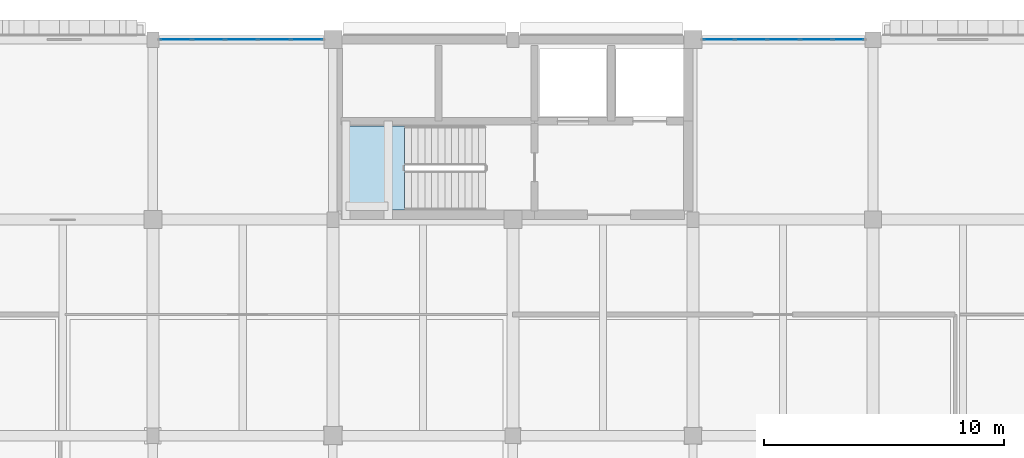
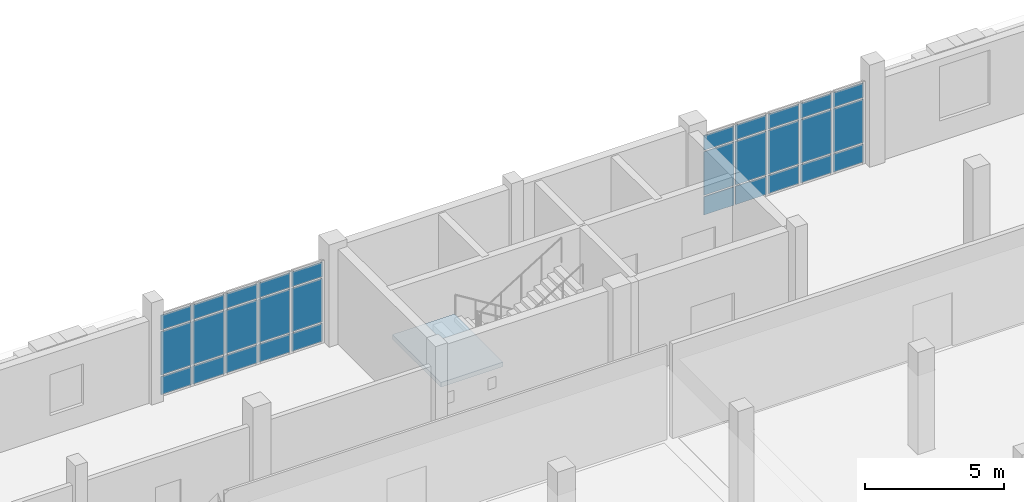
# One storey, part 86 of 128: 30 plates, 1 slab, 3 elements without a shape of their own.
"""IFC4 building model written with IfcOpenShell, lengths in metres."""

from ifc_helpers import new_model, si_unit, direction, frame, origin, origin_2d, place, context, subcontext, project, spatial, polyline, rectangle, outline, extrude, material, layer, layer_set, type_object, element, aggregate, save


model = new_model("IFC4")

# Units and contexts
model_context = context("Model", 3, precision=1e-05, world=origin(), true_north=direction((0.0, 1.0)))
body_context = subcontext(model_context, "Body", "Model", "MODEL_VIEW")
ifc_project = project(units=[si_unit("LENGTHUNIT", "METRE"), si_unit("AREAUNIT", "SQUARE_METRE"), si_unit("VOLUMEUNIT", "CUBIC_METRE"), si_unit("PLANEANGLEUNIT", "RADIAN"), si_unit("MASSUNIT", "GRAM", prefix="KILO")], contexts=[model_context])

# Site, building, storey
site_placement = place(None, origin())
site = spatial("IfcSite", under=ifc_project, at=site_placement, CompositionType="ELEMENT")
building_placement = place(site_placement, origin())
building = spatial("IfcBuilding", under=site, at=building_placement, Name="Dalvernix Boulevard General Hospital", CompositionType="ELEMENT")
storey_placement = place(building_placement, frame((0.0, 0.0, 4.800048828125)))
storey = spatial("IfcBuildingStorey", under=building, at=storey_placement, Name="L01", CompositionType="ELEMENT", Elevation=4.800048828125)

# Curtain wall, plates
ifc_material_1 = material(Name="Thermally broken aluminium and solar-control glass curtain wall", Category="aluminium")
ifc_layer_1 = layer(ifc_material_1, 0.179931640625)
ifc_layer_set_1 = layer_set([ifc_layer_1], Name="Thermally broken aluminium and solar-control glass curtain wall (CW-CW-B-69x36)")
curtain_wall_type_1 = type_object("IfcCurtainWallType", Name="CW-CW-B-69x36", PredefinedType="USERDEFINED", material=ifc_layer_set_1)
curtain_wall_1_placement = place(storey_placement, origin())
curtain_wall_1 = element("IfcCurtainWall", 1, at=curtain_wall_1_placement, inside=storey, type_object=curtain_wall_type_1, Name="L01 curtain wall CW-B-69x36 12-15", ObjectType="GLAZED FACADE", PredefinedType="USERDEFINED")
ifc_material_2 = material(Name="Double-glazed solar-control low-emissivity glass", Category="glass")
ifc_layer_2 = layer(ifc_material_2, 0.028076171875)
ifc_layer_set_2 = layer_set([ifc_layer_2], Name="Double-glazed solar-control low-emissivity glass (PLT-CW-P2)")
plate_type = type_object("IfcPlateType", Name="PLT-CW-P2", PredefinedType="CURTAIN_PANEL", material=ifc_layer_set_2)
plate_1_placement = place(storey_placement, frame((90.961669921875, 117.0, 0.06494140625), z_axis=(0.0, 0.0, 1.0), x_axis=(1.0, 0.0, 0.0)))
plate_1 = element("IfcPlate", 2, at=plate_1_placement, type_object=plate_type, Name="CW-B-69x36 panel 1.1", PredefinedType="CURTAIN_PANEL", context=body_context, shape_type="SweptSolid", body=[
    extrude(rectangle(XDim=1.2734375, YDim=0.028076171875, at=origin_2d()), origin(), (0.0, 0.0, 1.0), 0.802490234375),
])
plate_2_placement = place(storey_placement, frame((90.961669921875, 117.0, 0.932373046875), z_axis=(0.0, 0.0, 1.0), x_axis=(1.0, 0.0, 0.0)))
plate_2 = element("IfcPlate", 3, at=plate_2_placement, type_object=plate_type, Name="CW-B-69x36 panel 1.2", PredefinedType="CURTAIN_PANEL", context=body_context, shape_type="SweptSolid", body=[
    extrude(rectangle(XDim=1.2734375, YDim=0.028076171875, at=origin_2d()), origin(), (0.0, 0.0, 1.0), 1.9150390625),
])
plate_3_placement = place(storey_placement, frame((90.961669921875, 117.0, 2.91259765625), z_axis=(0.0, 0.0, 1.0), x_axis=(1.0, 0.0, 0.0)))
plate_3 = element("IfcPlate", 4, at=plate_3_placement, type_object=plate_type, Name="CW-B-69x36 panel 1.3", PredefinedType="CURTAIN_PANEL", context=body_context, shape_type="SweptSolid", body=[
    extrude(rectangle(XDim=1.2734375, YDim=0.028076171875, at=origin_2d()), origin(), (0.0, 0.0, 1.0), 0.652587890625),
])
plate_4_placement = place(storey_placement, frame((92.31640625, 117.0, 0.06494140625), z_axis=(0.0, 0.0, 1.0), x_axis=(1.0, 0.0, 0.0)))
plate_4 = element("IfcPlate", 5, at=plate_4_placement, type_object=plate_type, Name="CW-B-69x36 panel 2.1", PredefinedType="CURTAIN_PANEL", context=body_context, shape_type="SweptSolid", body=[
    extrude(rectangle(XDim=1.305908203125, YDim=0.028076171875, at=origin_2d()), origin(), (0.0, 0.0, 1.0), 0.802490234375),
])
plate_5_placement = place(storey_placement, frame((92.31640625, 117.0, 0.932373046875), z_axis=(0.0, 0.0, 1.0), x_axis=(1.0, 0.0, 0.0)))
plate_5 = element("IfcPlate", 6, at=plate_5_placement, type_object=plate_type, Name="CW-B-69x36 panel 2.2", PredefinedType="CURTAIN_PANEL", context=body_context, shape_type="SweptSolid", body=[
    extrude(rectangle(XDim=1.305908203125, YDim=0.028076171875, at=origin_2d()), origin(), (0.0, 0.0, 1.0), 1.9150390625),
])
plate_6_placement = place(storey_placement, frame((92.31640625, 117.0, 2.91259765625), z_axis=(0.0, 0.0, 1.0), x_axis=(1.0, 0.0, 0.0)))
plate_6 = element("IfcPlate", 7, at=plate_6_placement, type_object=plate_type, Name="CW-B-69x36 panel 2.3", PredefinedType="CURTAIN_PANEL", context=body_context, shape_type="SweptSolid", body=[
    extrude(rectangle(XDim=1.305908203125, YDim=0.028076171875, at=origin_2d()), origin(), (0.0, 0.0, 1.0), 0.652587890625),
])
plate_7_placement = place(storey_placement, frame((93.6875, 117.0, 0.06494140625), z_axis=(0.0, 0.0, 1.0), x_axis=(1.0, 0.0, 0.0)))
plate_7 = element("IfcPlate", 8, at=plate_7_placement, type_object=plate_type, Name="CW-B-69x36 panel 3.1", PredefinedType="CURTAIN_PANEL", context=body_context, shape_type="SweptSolid", body=[
    extrude(rectangle(XDim=1.305908203125, YDim=0.028076171875, at=origin_2d()), origin(), (0.0, 0.0, 1.0), 0.802490234375),
])
plate_8_placement = place(storey_placement, frame((93.6875, 117.0, 0.932373046875), z_axis=(0.0, 0.0, 1.0), x_axis=(1.0, 0.0, 0.0)))
plate_8 = element("IfcPlate", 9, at=plate_8_placement, type_object=plate_type, Name="CW-B-69x36 panel 3.2", PredefinedType="CURTAIN_PANEL", context=body_context, shape_type="SweptSolid", body=[
    extrude(rectangle(XDim=1.305908203125, YDim=0.028076171875, at=origin_2d()), origin(), (0.0, 0.0, 1.0), 1.9150390625),
])
plate_9_placement = place(storey_placement, frame((93.6875, 117.0, 2.91259765625), z_axis=(0.0, 0.0, 1.0), x_axis=(1.0, 0.0, 0.0)))
plate_9 = element("IfcPlate", 10, at=plate_9_placement, type_object=plate_type, Name="CW-B-69x36 panel 3.3", PredefinedType="CURTAIN_PANEL", context=body_context, shape_type="SweptSolid", body=[
    extrude(rectangle(XDim=1.305908203125, YDim=0.028076171875, at=origin_2d()), origin(), (0.0, 0.0, 1.0), 0.652587890625),
])
plate_10_placement = place(storey_placement, frame((95.05859375, 117.0, 0.06494140625), z_axis=(0.0, 0.0, 1.0), x_axis=(1.0, 0.0, 0.0)))
plate_10 = element("IfcPlate", 11, at=plate_10_placement, type_object=plate_type, Name="CW-B-69x36 panel 4.1", PredefinedType="CURTAIN_PANEL", context=body_context, shape_type="SweptSolid", body=[
    extrude(rectangle(XDim=1.305908203125, YDim=0.028076171875, at=origin_2d()), origin(), (0.0, 0.0, 1.0), 0.802490234375),
])
plate_11_placement = place(storey_placement, frame((95.05859375, 117.0, 0.932373046875), z_axis=(0.0, 0.0, 1.0), x_axis=(1.0, 0.0, 0.0)))
plate_11 = element("IfcPlate", 12, at=plate_11_placement, type_object=plate_type, Name="CW-B-69x36 panel 4.2", PredefinedType="CURTAIN_PANEL", context=body_context, shape_type="SweptSolid", body=[
    extrude(rectangle(XDim=1.305908203125, YDim=0.028076171875, at=origin_2d()), origin(), (0.0, 0.0, 1.0), 1.9150390625),
])
plate_12_placement = place(storey_placement, frame((95.05859375, 117.0, 2.91259765625), z_axis=(0.0, 0.0, 1.0), x_axis=(1.0, 0.0, 0.0)))
plate_12 = element("IfcPlate", 13, at=plate_12_placement, type_object=plate_type, Name="CW-B-69x36 panel 4.3", PredefinedType="CURTAIN_PANEL", context=body_context, shape_type="SweptSolid", body=[
    extrude(rectangle(XDim=1.305908203125, YDim=0.028076171875, at=origin_2d()), origin(), (0.0, 0.0, 1.0), 0.652587890625),
])
plate_13_placement = place(storey_placement, frame((96.413330078125, 117.0, 0.06494140625), z_axis=(0.0, 0.0, 1.0), x_axis=(1.0, 0.0, 0.0)))
plate_13 = element("IfcPlate", 14, at=plate_13_placement, type_object=plate_type, Name="CW-B-69x36 panel 5.1", PredefinedType="CURTAIN_PANEL", context=body_context, shape_type="SweptSolid", body=[
    extrude(rectangle(XDim=1.2734375, YDim=0.028076171875, at=origin_2d()), origin(), (0.0, 0.0, 1.0), 0.802490234375),
])
plate_14_placement = place(storey_placement, frame((96.413330078125, 117.0, 0.932373046875), z_axis=(0.0, 0.0, 1.0), x_axis=(1.0, 0.0, 0.0)))
plate_14 = element("IfcPlate", 15, at=plate_14_placement, type_object=plate_type, Name="CW-B-69x36 panel 5.2", PredefinedType="CURTAIN_PANEL", context=body_context, shape_type="SweptSolid", body=[
    extrude(rectangle(XDim=1.2734375, YDim=0.028076171875, at=origin_2d()), origin(), (0.0, 0.0, 1.0), 1.9150390625),
])
plate_15_placement = place(storey_placement, frame((96.413330078125, 117.0, 2.91259765625), z_axis=(0.0, 0.0, 1.0), x_axis=(1.0, 0.0, 0.0)))
plate_15 = element("IfcPlate", 16, at=plate_15_placement, type_object=plate_type, Name="CW-B-69x36 panel 5.3", PredefinedType="CURTAIN_PANEL", context=body_context, shape_type="SweptSolid", body=[
    extrude(rectangle(XDim=1.2734375, YDim=0.028076171875, at=origin_2d()), origin(), (0.0, 0.0, 1.0), 0.652587890625),
])
aggregate(curtain_wall_1, [plate_1, plate_2, plate_3, plate_4, plate_5, plate_6, plate_7, plate_8, plate_9, plate_10, plate_11, plate_12, plate_13, plate_14, plate_15])

ifc_layer_3 = layer(ifc_material_1, 0.179931640625)
ifc_layer_set_3 = layer_set([ifc_layer_3], Name="Thermally broken aluminium and solar-control glass curtain wall (CW-CW-B-68x36)")
curtain_wall_type_2 = type_object("IfcCurtainWallType", Name="CW-CW-B-68x36", PredefinedType="USERDEFINED", material=ifc_layer_set_3)
curtain_wall_2_placement = place(storey_placement, origin())
curtain_wall_2 = element("IfcCurtainWall", 17, at=curtain_wall_2_placement, inside=storey, type_object=curtain_wall_type_2, Name="L01 curtain wall CW-B-68x36 15-15", ObjectType="GLAZED FACADE", PredefinedType="USERDEFINED")
plate_16_placement = place(storey_placement, frame((113.579345703125, 117.0, 0.06494140625), z_axis=(0.0, 0.0, 1.0), x_axis=(1.0, 0.0, 0.0)))
plate_16 = element("IfcPlate", 18, at=plate_16_placement, type_object=plate_type, Name="CW-B-68x36 panel 1.1", PredefinedType="CURTAIN_PANEL", context=body_context, shape_type="SweptSolid", body=[
    extrude(rectangle(XDim=1.258544921875, YDim=0.028076171875, at=origin_2d()), origin(), (0.0, 0.0, 1.0), 0.802490234375),
])
plate_17_placement = place(storey_placement, frame((113.579345703125, 117.0, 0.932373046875), z_axis=(0.0, 0.0, 1.0), x_axis=(1.0, 0.0, 0.0)))
plate_17 = element("IfcPlate", 19, at=plate_17_placement, type_object=plate_type, Name="CW-B-68x36 panel 1.2", PredefinedType="CURTAIN_PANEL", context=body_context, shape_type="SweptSolid", body=[
    extrude(rectangle(XDim=1.258544921875, YDim=0.028076171875, at=origin_2d()), origin(), (0.0, 0.0, 1.0), 1.9150390625),
])
plate_18_placement = place(storey_placement, frame((113.579345703125, 117.0, 2.91259765625), z_axis=(0.0, 0.0, 1.0), x_axis=(1.0, 0.0, 0.0)))
plate_18 = element("IfcPlate", 20, at=plate_18_placement, type_object=plate_type, Name="CW-B-68x36 panel 1.3", PredefinedType="CURTAIN_PANEL", context=body_context, shape_type="SweptSolid", body=[
    extrude(rectangle(XDim=1.258544921875, YDim=0.028076171875, at=origin_2d()), origin(), (0.0, 0.0, 1.0), 0.652587890625),
])
plate_19_placement = place(storey_placement, frame((114.9189453125, 117.0, 0.06494140625), z_axis=(0.0, 0.0, 1.0), x_axis=(1.0, 0.0, 0.0)))
plate_19 = element("IfcPlate", 21, at=plate_19_placement, type_object=plate_type, Name="CW-B-68x36 panel 2.1", PredefinedType="CURTAIN_PANEL", context=body_context, shape_type="SweptSolid", body=[
    extrude(rectangle(XDim=1.291015625, YDim=0.028076171875, at=origin_2d()), origin(), (0.0, 0.0, 1.0), 0.802490234375),
])
plate_20_placement = place(storey_placement, frame((114.9189453125, 117.0, 0.932373046875), z_axis=(0.0, 0.0, 1.0), x_axis=(1.0, 0.0, 0.0)))
plate_20 = element("IfcPlate", 22, at=plate_20_placement, type_object=plate_type, Name="CW-B-68x36 panel 2.2", PredefinedType="CURTAIN_PANEL", context=body_context, shape_type="SweptSolid", body=[
    extrude(rectangle(XDim=1.291015625, YDim=0.028076171875, at=origin_2d()), origin(), (0.0, 0.0, 1.0), 1.9150390625),
])
plate_21_placement = place(storey_placement, frame((114.9189453125, 117.0, 2.91259765625), z_axis=(0.0, 0.0, 1.0), x_axis=(1.0, 0.0, 0.0)))
plate_21 = element("IfcPlate", 23, at=plate_21_placement, type_object=plate_type, Name="CW-B-68x36 panel 2.3", PredefinedType="CURTAIN_PANEL", context=body_context, shape_type="SweptSolid", body=[
    extrude(rectangle(XDim=1.291015625, YDim=0.028076171875, at=origin_2d()), origin(), (0.0, 0.0, 1.0), 0.652587890625),
])
plate_22_placement = place(storey_placement, frame((116.27490234375, 117.0, 0.06494140625), z_axis=(0.0, 0.0, 1.0), x_axis=(1.0, 0.0, 0.0)))
plate_22 = element("IfcPlate", 24, at=plate_22_placement, type_object=plate_type, Name="CW-B-68x36 panel 3.1", PredefinedType="CURTAIN_PANEL", context=body_context, shape_type="SweptSolid", body=[
    extrude(rectangle(XDim=1.291015625, YDim=0.028076171875, at=origin_2d()), origin(), (0.0, 0.0, 1.0), 0.802490234375),
])
plate_23_placement = place(storey_placement, frame((116.27490234375, 117.0, 0.932373046875), z_axis=(0.0, 0.0, 1.0), x_axis=(1.0, 0.0, 0.0)))
plate_23 = element("IfcPlate", 25, at=plate_23_placement, type_object=plate_type, Name="CW-B-68x36 panel 3.2", PredefinedType="CURTAIN_PANEL", context=body_context, shape_type="SweptSolid", body=[
    extrude(rectangle(XDim=1.291015625, YDim=0.028076171875, at=origin_2d()), origin(), (0.0, 0.0, 1.0), 1.9150390625),
])
plate_24_placement = place(storey_placement, frame((116.27490234375, 117.0, 2.91259765625), z_axis=(0.0, 0.0, 1.0), x_axis=(1.0, 0.0, 0.0)))
plate_24 = element("IfcPlate", 26, at=plate_24_placement, type_object=plate_type, Name="CW-B-68x36 panel 3.3", PredefinedType="CURTAIN_PANEL", context=body_context, shape_type="SweptSolid", body=[
    extrude(rectangle(XDim=1.291015625, YDim=0.028076171875, at=origin_2d()), origin(), (0.0, 0.0, 1.0), 0.652587890625),
])
plate_25_placement = place(storey_placement, frame((117.631103515625, 117.0, 0.06494140625), z_axis=(0.0, 0.0, 1.0), x_axis=(1.0, 0.0, 0.0)))
plate_25 = element("IfcPlate", 27, at=plate_25_placement, type_object=plate_type, Name="CW-B-68x36 panel 4.1", PredefinedType="CURTAIN_PANEL", context=body_context, shape_type="SweptSolid", body=[
    extrude(rectangle(XDim=1.291015625, YDim=0.028076171875, at=origin_2d()), origin(), (0.0, 0.0, 1.0), 0.802490234375),
])
plate_26_placement = place(storey_placement, frame((117.631103515625, 117.0, 0.932373046875), z_axis=(0.0, 0.0, 1.0), x_axis=(1.0, 0.0, 0.0)))
plate_26 = element("IfcPlate", 28, at=plate_26_placement, type_object=plate_type, Name="CW-B-68x36 panel 4.2", PredefinedType="CURTAIN_PANEL", context=body_context, shape_type="SweptSolid", body=[
    extrude(rectangle(XDim=1.291015625, YDim=0.028076171875, at=origin_2d()), origin(), (0.0, 0.0, 1.0), 1.9150390625),
])
plate_27_placement = place(storey_placement, frame((117.631103515625, 117.0, 2.91259765625), z_axis=(0.0, 0.0, 1.0), x_axis=(1.0, 0.0, 0.0)))
plate_27 = element("IfcPlate", 29, at=plate_27_placement, type_object=plate_type, Name="CW-B-68x36 panel 4.3", PredefinedType="CURTAIN_PANEL", context=body_context, shape_type="SweptSolid", body=[
    extrude(rectangle(XDim=1.291015625, YDim=0.028076171875, at=origin_2d()), origin(), (0.0, 0.0, 1.0), 0.652587890625),
])
plate_28_placement = place(storey_placement, frame((118.970703125, 117.0, 0.06494140625), z_axis=(0.0, 0.0, 1.0), x_axis=(1.0, 0.0, 0.0)))
plate_28 = element("IfcPlate", 30, at=plate_28_placement, type_object=plate_type, Name="CW-B-68x36 panel 5.1", PredefinedType="CURTAIN_PANEL", context=body_context, shape_type="SweptSolid", body=[
    extrude(rectangle(XDim=1.258544921875, YDim=0.028076171875, at=origin_2d()), origin(), (0.0, 0.0, 1.0), 0.802490234375),
])
plate_29_placement = place(storey_placement, frame((118.970703125, 117.0, 0.932373046875), z_axis=(0.0, 0.0, 1.0), x_axis=(1.0, 0.0, 0.0)))
plate_29 = element("IfcPlate", 31, at=plate_29_placement, type_object=plate_type, Name="CW-B-68x36 panel 5.2", PredefinedType="CURTAIN_PANEL", context=body_context, shape_type="SweptSolid", body=[
    extrude(rectangle(XDim=1.258544921875, YDim=0.028076171875, at=origin_2d()), origin(), (0.0, 0.0, 1.0), 1.9150390625),
])
plate_30_placement = place(storey_placement, frame((118.970703125, 117.0, 2.91259765625), z_axis=(0.0, 0.0, 1.0), x_axis=(1.0, 0.0, 0.0)))
plate_30 = element("IfcPlate", 32, at=plate_30_placement, type_object=plate_type, Name="CW-B-68x36 panel 5.3", PredefinedType="CURTAIN_PANEL", context=body_context, shape_type="SweptSolid", body=[
    extrude(rectangle(XDim=1.258544921875, YDim=0.028076171875, at=origin_2d()), origin(), (0.0, 0.0, 1.0), 0.652587890625),
])
aggregate(curtain_wall_2, [plate_16, plate_17, plate_18, plate_19, plate_20, plate_21, plate_22, plate_23, plate_24, plate_25, plate_26, plate_27, plate_28, plate_29, plate_30])

# Stair, slab
ifc_material_3 = material(Name="Precast concrete C40/50", Category="concrete")
stair_type = type_object("IfcStairType", Name="IFCSTAIR-STC-165x450", PredefinedType="HALF_TURN_STAIR", material=ifc_material_3)
stair_placement = place(storey_placement, origin())
stair = element("IfcStair", 33, at=stair_placement, inside=storey, type_object=stair_type, Name="L01 Core C4 Exit Stair ST-04", PredefinedType="HALF_TURN_STAIR")
ifc_layer_4 = layer(ifc_material_3, 0.199951171875)
ifc_layer_set_4 = layer_set([ifc_layer_4], Name="Precast concrete C40/50 (SLB-LND-01)")
slab_type = type_object("IfcSlabType", Name="SLB-LND-01", PredefinedType="LANDING", material=ifc_layer_set_4)
slab_placement = place(storey_placement, frame((0.0, 0.0, 2.050048828125)))
slab = element("IfcSlab", 34, at=slab_placement, type_object=slab_type, Name="ST-04 landing 1", PredefinedType="LANDING", context=body_context, shape_type="SweptSolid", body=[
    extrude(outline(polyline([(100.489990234375, 113.39990234375), (97.89990234375, 113.39990234375), (97.89990234375, 109.89990234375), (100.489990234375, 109.89990234375), (100.489990234375, 113.39990234375)])), origin(), (0.0, 0.0, 1.0), 0.199951171875),
])
aggregate(stair, [slab])

save(model, "model.ifc")
